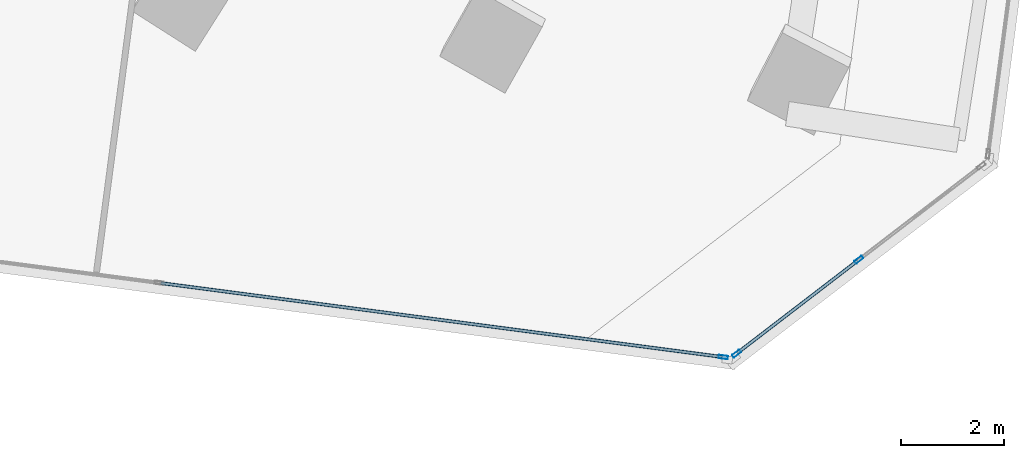
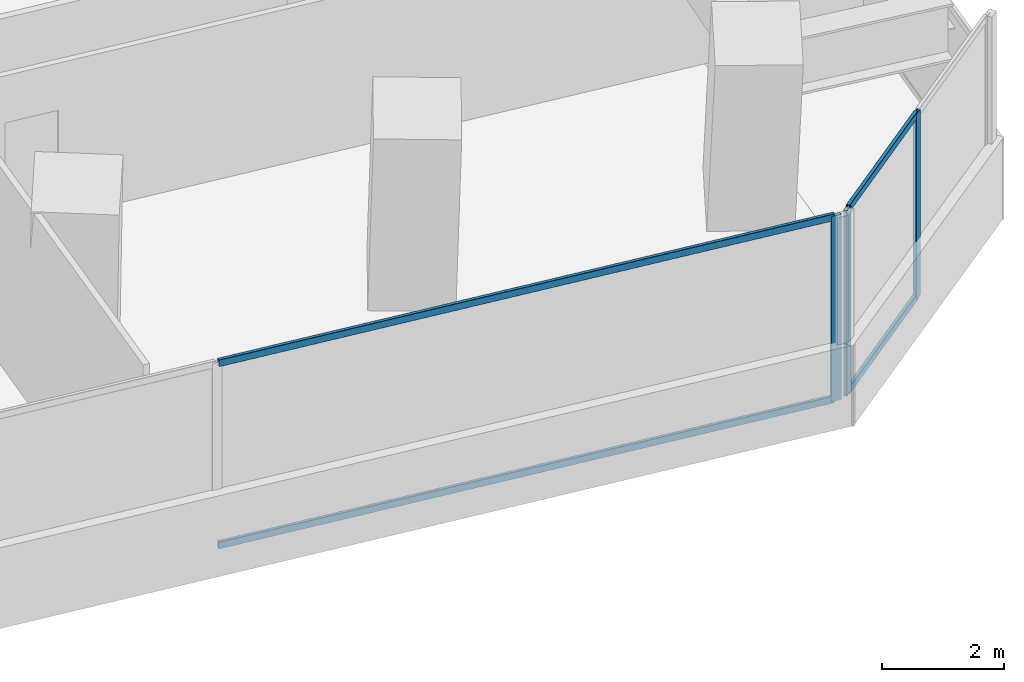
# One storey, part 10 of 24: 7 members, 2 elements without a shape of their own.
"""IFC4 building model written with IfcOpenShell, lengths in metres."""

import ifcopenshell
import ifcopenshell.guid

model = None  # the IFC model being written
_history = None  # IfcOwnerHistory: only IFC2X3 demands one
_inside = {}  # id of a spatial element -> (the spatial element, [elements in it])
_under = {}  # id of a project, library or spatial element -> (it, [spatial elements below it])
_declared = {}  # id of a project -> (the project, [libraries it declares])
_typed = {}  # id of a type object -> (the type object, [elements of that type])
_made_of = {}  # id of a material, layer set ... -> (it, [elements and type objects made of it])


def new_model(schema):
    """Start an empty IFC model of exactly this schema.

    Asked for "IFC4X3", IfcOpenShell would pick the latest addendum, in which some entities
    have other attributes; the version numbers below select the first issue.
    IFC2X3 requires an IfcOwnerHistory on every rooted entity: one is made here for all.
    """
    global model, _history
    if schema == "IFC4X3":
        model = ifcopenshell.file(schema_version=(4, 3, 0, 0))
    else:
        model = ifcopenshell.file(schema=schema)
    _inside.clear()
    _under.clear()
    _declared.clear()
    _typed.clear()
    _made_of.clear()
    _history = None
    if model.schema == "IFC2X3":
        org = make("IfcOrganization", Name="unknown")
        user = make(
            "IfcPersonAndOrganization",
            ThePerson=make("IfcPerson", FamilyName="unknown"),
            TheOrganization=org,
        )
        app = make(
            "IfcApplication",
            ApplicationDeveloper=org,
            Version="unknown",
            ApplicationFullName="unknown",
            ApplicationIdentifier="unknown",
        )
        _history = make(
            "IfcOwnerHistory",
            OwningUser=user,
            OwningApplication=app,
            ChangeAction="ADDED",
            CreationDate=0,
        )
    return model


def make(cls, **values):
    """One entity of the class cls with the attributes given. An attribute that is None is left unset."""
    return model.create_entity(
        cls, **{name: value for name, value in values.items() if value is not None}
    )


def rooted(cls, **values):
    """An entity with a GlobalId (a new one), such as an element, a storey or a relation."""
    return make(cls, GlobalId=ifcopenshell.guid.new(), OwnerHistory=_history, **values)


def si_unit(unit_type, name, prefix=None):
    """IfcSIUnit, for example si_unit("LENGTHUNIT", "METRE", prefix="MILLI")."""
    return make("IfcSIUnit", UnitType=unit_type, Prefix=prefix, Name=name)


def assignment(units):
    """IfcUnitAssignment: the units of a project."""
    return None if units is None else make("IfcUnitAssignment", Units=units)


def point(xyz):
    """IfcCartesianPoint."""
    return None if xyz is None else make("IfcCartesianPoint", Coordinates=xyz)


def direction(xyz):
    """IfcDirection."""
    return None if xyz is None else make("IfcDirection", DirectionRatios=xyz)


def frame(location, z_axis=None, x_axis=None):
    """IfcAxis2Placement3D, a coordinate frame: its origin and axes. An axis left out is left unset."""
    return make(
        "IfcAxis2Placement3D",
        Location=point(location),
        Axis=direction(z_axis),
        RefDirection=direction(x_axis),
    )


def frame_2d(location, x_axis=None):
    """IfcAxis2Placement2D, a coordinate frame in the plane: its origin and x axis."""
    return make(
        "IfcAxis2Placement2D", Location=point(location), RefDirection=direction(x_axis)
    )


def origin():
    """The frame at (0, 0, 0) with its axes left unset."""
    return frame((0.0, 0.0, 0.0))


def origin_2d():
    """The frame at (0, 0) in the plane with its x axis left unset."""
    return frame_2d((0.0, 0.0))


def place(relative_to, where):
    """IfcLocalPlacement: puts the frame where relative to a parent placement (None: the world)."""
    return make(
        "IfcLocalPlacement", PlacementRelTo=relative_to, RelativePlacement=where
    )


def context(
    kind, dimensions, precision=None, world=None, true_north=None, identifier=None
):
    """IfcGeometricRepresentationContext, for example the 3D "Model" context."""
    return make(
        "IfcGeometricRepresentationContext",
        ContextIdentifier=identifier,
        ContextType=kind,
        CoordinateSpaceDimension=dimensions,
        Precision=precision,
        WorldCoordinateSystem=world,
        TrueNorth=true_north,
    )


def subcontext(parent, identifier, kind, view, scale=None):
    """IfcGeometricRepresentationSubContext, for example "Body" below "Model"."""
    return make(
        "IfcGeometricRepresentationSubContext",
        ContextIdentifier=identifier,
        ContextType=kind,
        ParentContext=parent,
        TargetScale=scale,
        TargetView=view,
    )


def project(units=None, contexts=None):
    """IfcProject with its units and contexts."""
    return rooted(
        "IfcProject",
        Name="project",
        RepresentationContexts=contexts,
        UnitsInContext=assignment(units),
    )


def spatial(cls, under=None, at=None, **own):
    """A site, building, storey or space (cls), placed at a placement, below another one or the project."""
    s = rooted(cls, ObjectPlacement=at, **own)
    if under is not None:
        _under.setdefault(under.id(), (under, []))[1].append(s)
    return s


def profile(cls, at=None, kind="AREA", **sizes):
    """A parametric profile (cls). Its sizes go by their IFC names, for example OverallWidth=200.0."""
    return make(cls, ProfileType=kind, Position=at, **sizes)


def hollow_rectangle(**sizes):
    """IfcRectangleHollowProfileDef."""
    return profile("IfcRectangleHollowProfileDef", **sizes)


def extrude(swept, where, along, depth):
    """IfcExtrudedAreaSolid: the profile swept, set in the frame where, extruded along a direction by depth."""
    return make(
        "IfcExtrudedAreaSolid",
        SweptArea=swept,
        Position=where,
        ExtrudedDirection=direction(along),
        Depth=depth,
    )


def shape(context_of_items, identifier, shape_type, items):
    """IfcShapeRepresentation: the items that make up one representation, for example the "Body"."""
    return make(
        "IfcShapeRepresentation",
        ContextOfItems=context_of_items,
        RepresentationIdentifier=identifier,
        RepresentationType=shape_type,
        Items=items,
    )


def source(mapping_origin, context_of_items, identifier, shape_type, items):
    """IfcRepresentationMap: a shape defined once, which mapped items show again and again."""
    return make(
        "IfcRepresentationMap",
        MappingOrigin=mapping_origin,
        MappedRepresentation=shape(context_of_items, identifier, shape_type, items),
    )


def transform(
    local_origin,
    x_axis=None,
    y_axis=None,
    z_axis=None,
    scale=None,
    scale2=None,
    scale3=None,
    uniform=True,
):
    """IfcCartesianTransformationOperator3D, or its non-uniform kind. x_axis, y_axis, z_axis: its Axis1, 2, 3."""
    if uniform:
        return make(
            "IfcCartesianTransformationOperator3D",
            Axis1=direction(x_axis),
            Axis2=direction(y_axis),
            LocalOrigin=point(local_origin),
            Scale=scale,
            Axis3=direction(z_axis),
        )
    return make(
        "IfcCartesianTransformationOperator3DnonUniform",
        Axis1=direction(x_axis),
        Axis2=direction(y_axis),
        LocalOrigin=point(local_origin),
        Scale=scale,
        Axis3=direction(z_axis),
        Scale2=scale2,
        Scale3=scale3,
    )


def mapped(mapping_source, mapping_target):
    """IfcMappedItem: shows the shape of a source again, moved by a transform."""
    return make(
        "IfcMappedItem", MappingSource=mapping_source, MappingTarget=mapping_target
    )


def material(Name=None, Category=None):
    """IfcMaterial."""
    return make("IfcMaterial", Name=Name, Category=Category)


def material_profile(
    of_material, cross_section, Name=None, Category=None, Priority=None
):
    """IfcMaterialProfile: a cross section and its material."""
    return make(
        "IfcMaterialProfile",
        Name=Name,
        Material=of_material,
        Profile=cross_section,
        Priority=Priority,
        Category=Category,
    )


def profile_set(profiles, Name=None, composite=None):
    """IfcMaterialProfileSet."""
    return make(
        "IfcMaterialProfileSet",
        Name=Name,
        MaterialProfiles=profiles,
        CompositeProfile=composite,
    )


def made_of(thing, what):
    """Note that an element or type object is made of a material, layer set ...; save() writes the relation."""
    if what is not None:
        _made_of.setdefault(what.id(), (what, []))[1].append(thing)
    return thing


def type_object(cls, material=None, **own):
    """A type object (cls), such as IfcWallType, which elements share."""
    return made_of(rooted(cls, **own), material)


def element(
    cls,
    number,
    at=None,
    inside=None,
    cuts=None,
    type_object=None,
    material=None,
    context=None,
    identifier="Body",
    shape_type=None,
    held_by="IfcProductDefinitionShape",
    body=None,
    shapes=None,
    **own,
):
    """One element of the class cls, such as IfcWall. Its Tag is "e" and its number.

    at: its placement. inside: the storey or other place that contains it. cuts: it is an
    opening in that element (IfcRelVoidsElement). A single representation is given by context,
    identifier, shape_type and body (its items); several are given by shapes. held_by: the class
    of the entity that holds the representations. save() writes the other relations.
    """
    e = rooted(cls, Tag="e%d" % number, ObjectPlacement=at, **own)
    if body is not None:
        shapes = [shape(context, identifier, shape_type, body)]
    if shapes is not None:
        e.Representation = make(held_by, Representations=shapes)
    if inside is not None:
        _inside.setdefault(inside.id(), (inside, []))[1].append(e)
    if cuts is not None:
        rooted(
            "IfcRelVoidsElement", RelatingBuildingElement=cuts, RelatedOpeningElement=e
        )
    if type_object is not None:
        _typed.setdefault(type_object.id(), (type_object, []))[1].append(e)
    return made_of(e, material)


def aggregate(whole, parts):
    """IfcRelAggregates: a whole, such as a stair, and the parts it consists of."""
    return rooted("IfcRelAggregates", RelatingObject=whole, RelatedObjects=parts)


def save(model, path):
    """Write the relations noted so far, then the file.

    IfcRelAggregates (storeys below a building ...), IfcRelContainedInSpatialStructure (elements
    in a storey), IfcRelDefinesByType, IfcRelAssociatesMaterial and IfcRelDeclares: one each for
    every whole, place, type object, material and project.
    """
    for whole, parts in _under.values():
        aggregate(whole, parts)
    for where, things in _inside.values():
        rooted(
            "IfcRelContainedInSpatialStructure",
            RelatedElements=things,
            RelatingStructure=where,
        )
    for kind, things in _typed.values():
        rooted("IfcRelDefinesByType", RelatedObjects=things, RelatingType=kind)
    for what, things in _made_of.values():
        rooted("IfcRelAssociatesMaterial", RelatedObjects=things, RelatingMaterial=what)
    for by, libraries in _declared.values():
        rooted("IfcRelDeclares", RelatingContext=by, RelatedDefinitions=libraries)
    model.write(path)


model = new_model("IFC4")

# Units and contexts
model_context = context("Model", 3, precision=1e-05, world=origin(), true_north=direction((0.0, 1.0)))
body_context = subcontext(model_context, "Body", "Model", "MODEL_VIEW")
ifc_project = project(units=[si_unit("LENGTHUNIT", "METRE"), si_unit("AREAUNIT", "SQUARE_METRE"), si_unit("VOLUMEUNIT", "CUBIC_METRE"), si_unit("PLANEANGLEUNIT", "RADIAN"), si_unit("MASSUNIT", "GRAM", prefix="KILO")], contexts=[model_context])

# Site, building, storey
site_placement = place(None, origin())
site = spatial("IfcSite", under=ifc_project, at=site_placement, CompositionType="ELEMENT")
building_placement = place(site_placement, origin())
building = spatial("IfcBuilding", under=site, at=building_placement, Name="Torre Montelarca", CompositionType="ELEMENT")
storey_placement = place(building_placement, frame((0.0, 0.0, 66.39990234375)))
storey = spatial("IfcBuildingStorey", under=building, at=storey_placement, Name="L14", CompositionType="ELEMENT", Elevation=66.39990234375)

# Curtain wall, members
ifc_material_1 = material(Name="Insulated low-E laminated glass", Category="glass")
curtain_wall_type = type_object("IfcCurtainWallType", Name="CW-SYS-Z1", PredefinedType="USERDEFINED", material=ifc_material_1)
curtain_wall_1_placement = place(storey_placement, origin())
curtain_wall_1 = element("IfcCurtainWall", 1, at=curtain_wall_1_placement, inside=storey, type_object=curtain_wall_type, Name="L14 Curtain Wall Run CW-T3-L14-E04-B1", ObjectType="UNITISED GLAZING", PredefinedType="USERDEFINED")
ifc_material_2 = material(Name="Anodised aluminium AA 6063-T6", Category="aluminium")
ifc_material_profile_1 = material_profile(ifc_material_2, hollow_rectangle(XDim=0.06494140625, YDim=0.139892578125, WallThickness=0.00390625, InnerFilletRadius=0.00390625, OuterFilletRadius=0.008056640625, at=origin_2d()), Name="ALU65X140X4", Category="aluminium")
ifc_profile_set_1 = profile_set([ifc_material_profile_1], Name="Anodised aluminium AA 6063-T6")
member_type_1 = type_object("IfcMemberType", Name="CWT-ALU140", PredefinedType="USERDEFINED", material=ifc_profile_set_1)
shared_shape_1 = source(origin(), body_context, "Body", "SweptSolid", [
    extrude(hollow_rectangle(XDim=0.06494140625, YDim=0.139892578125, WallThickness=0.00390625, InnerFilletRadius=0.00390625, OuterFilletRadius=0.008056640625, at=origin_2d()), origin(), (0.0, 0.0, 1.0), 10.94873046875),
])
member_1_placement = place(storey_placement, frame((46.207763671875, 14.959228515625, 0.03271484375), z_axis=(0.99144640037, -0.130514501852, 0.0), x_axis=(0.130514501852, 0.99144640037, 0.0)))
member_1 = element("IfcMember", 2, at=member_1_placement, type_object=member_type_1, Name="CW transom 2.1", ObjectType="TRANSOM", PredefinedType="USERDEFINED", context=body_context, shape_type="MappedRepresentation", body=[
    mapped(shared_shape_1, transform((0.0, 0.0, 0.0), scale=1.0)),
])
member_2_placement = place(storey_placement, frame((46.207763671875, 14.959228515625, 3.6875), z_axis=(0.99144640037, -0.130514501852, 0.0), x_axis=(0.130514501852, 0.99144640037, 0.0)))
member_2 = element("IfcMember", 3, at=member_2_placement, type_object=member_type_1, Name="CW transom 2.2", ObjectType="TRANSOM", PredefinedType="USERDEFINED", context=body_context, shape_type="MappedRepresentation", body=[
    mapped(shared_shape_1, transform((0.0, 0.0, 0.0), scale=1.0)),
])

curtain_wall_2_placement = place(storey_placement, origin())
curtain_wall_2 = element("IfcCurtainWall", 4, at=curtain_wall_2_placement, inside=storey, type_object=curtain_wall_type, Name="L14 Curtain Wall Run CW-T3-L14-E05-B1", ObjectType="UNITISED GLAZING", PredefinedType="USERDEFINED")
shared_shape_2 = source(origin(), body_context, "Body", "SweptSolid", [
    extrude(hollow_rectangle(XDim=0.06494140625, YDim=0.139892578125, WallThickness=0.00390625, InnerFilletRadius=0.00390625, OuterFilletRadius=0.008056640625, at=origin_2d()), origin(), (0.0, 0.0, 1.0), 2.9189453125),
])
member_3_placement = place(storey_placement, frame((57.37841796875, 13.61474609375, 0.03271484375), z_axis=(0.793357237782, 0.608756349666, 0.0), x_axis=(-0.608756349666, 0.793357237782, 0.0)))
member_3 = element("IfcMember", 5, at=member_3_placement, type_object=member_type_1, Name="CW transom 1.1", ObjectType="TRANSOM", PredefinedType="USERDEFINED", context=body_context, shape_type="MappedRepresentation", body=[
    mapped(shared_shape_2, transform((0.0, 0.0, 0.0), scale=1.0)),
])
member_4_placement = place(storey_placement, frame((57.37841796875, 13.61474609375, 3.6875), z_axis=(0.793357237782, 0.608756349666, 0.0), x_axis=(-0.608756349666, 0.793357237782, 0.0)))
member_4 = element("IfcMember", 6, at=member_4_placement, type_object=member_type_1, Name="CW transom 1.2", ObjectType="TRANSOM", PredefinedType="USERDEFINED", context=body_context, shape_type="MappedRepresentation", body=[
    mapped(shared_shape_2, transform((0.0, 0.0, 0.0), scale=1.0)),
])

# Member
ifc_material_profile_2 = material_profile(ifc_material_2, hollow_rectangle(XDim=0.06494140625, YDim=0.179931640625, WallThickness=0.00390625, InnerFilletRadius=0.00390625, OuterFilletRadius=0.008056640625, at=origin_2d()), Name="ALU65X180X4", Category="aluminium")
ifc_profile_set_2 = profile_set([ifc_material_profile_2], Name="Anodised aluminium AA 6063-T6")
member_type_2 = type_object("IfcMemberType", Name="CWM-ALU180", PredefinedType="MULLION", material=ifc_profile_set_2)
shared_shape_3 = source(origin(), body_context, "Body", "SweptSolid", [
    extrude(hollow_rectangle(XDim=0.06494140625, YDim=0.179931640625, WallThickness=0.00390625, InnerFilletRadius=0.00390625, OuterFilletRadius=0.008056640625, at=origin_2d()), origin(), (0.0, 0.0, 1.0), 3.72021484375),
])
member_5_placement = place(storey_placement, frame((57.094970703125, 13.52587890625, 0.0), z_axis=(0.0, 0.0, 1.0), x_axis=(0.130520668339, 0.991445588591, 0.0)))
member_5 = element("IfcMember", 7, at=member_5_placement, type_object=member_type_2, Name="CW mullion 3", PredefinedType="MULLION", context=body_context, shape_type="MappedRepresentation", body=[
    mapped(shared_shape_3, transform((0.0, 0.0, 0.0), scale=1.0)),
])

aggregate(curtain_wall_1, [member_5, member_1, member_2])

member_6_placement = place(storey_placement, frame((57.352783203125, 13.594970703125, 0.0), z_axis=(0.0, 0.0, 1.0), x_axis=(-0.608764194066, 0.793351218581, 0.0)))
member_6 = element("IfcMember", 8, at=member_6_placement, type_object=member_type_2, Name="CW mullion 1", PredefinedType="MULLION", context=body_context, shape_type="MappedRepresentation", body=[
    mapped(shared_shape_3, transform((0.0, 0.0, 0.0), scale=1.0)),
])

member_7_placement = place(storey_placement, frame((59.7197265625, 15.411376953125, 0.0), z_axis=(0.0, 0.0, 1.0), x_axis=(-0.608764194066, 0.793351218581, 0.0)))
member_7 = element("IfcMember", 9, at=member_7_placement, type_object=member_type_2, Name="CW mullion 2", PredefinedType="MULLION", context=body_context, shape_type="MappedRepresentation", body=[
    mapped(shared_shape_3, transform((0.0, 0.0, 0.0), scale=1.0)),
])

aggregate(curtain_wall_2, [member_6, member_7, member_3, member_4])

save(model, "model.ifc")
